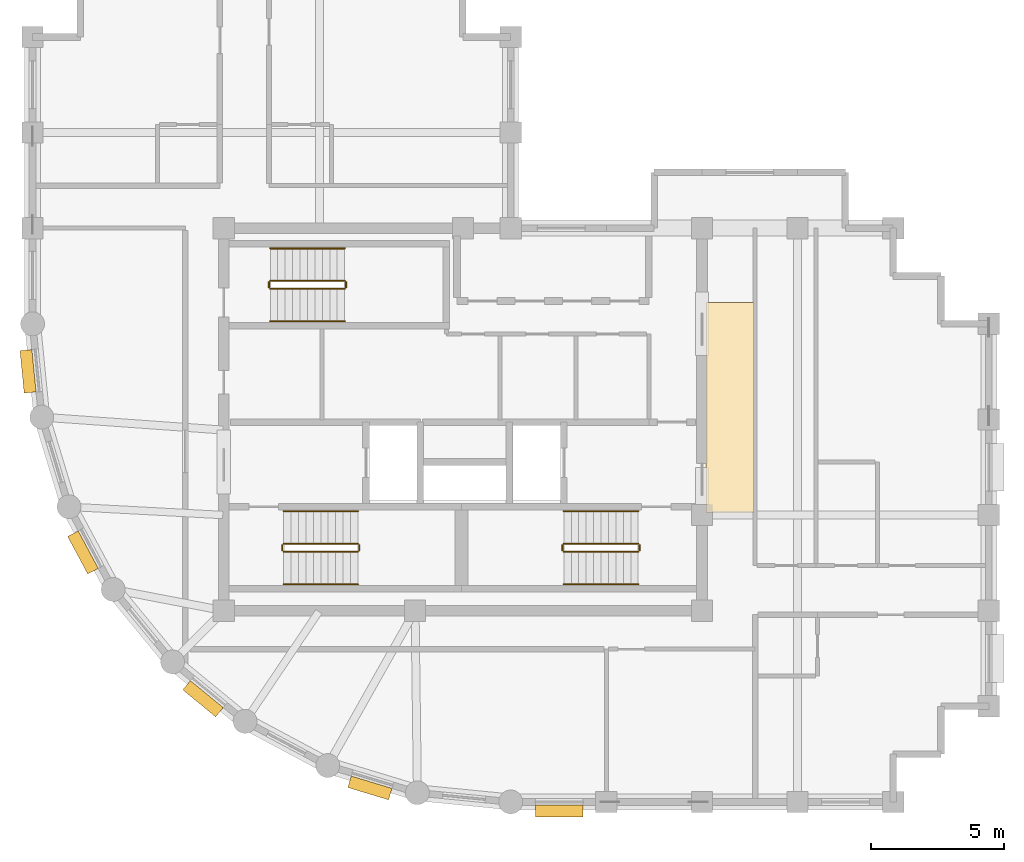
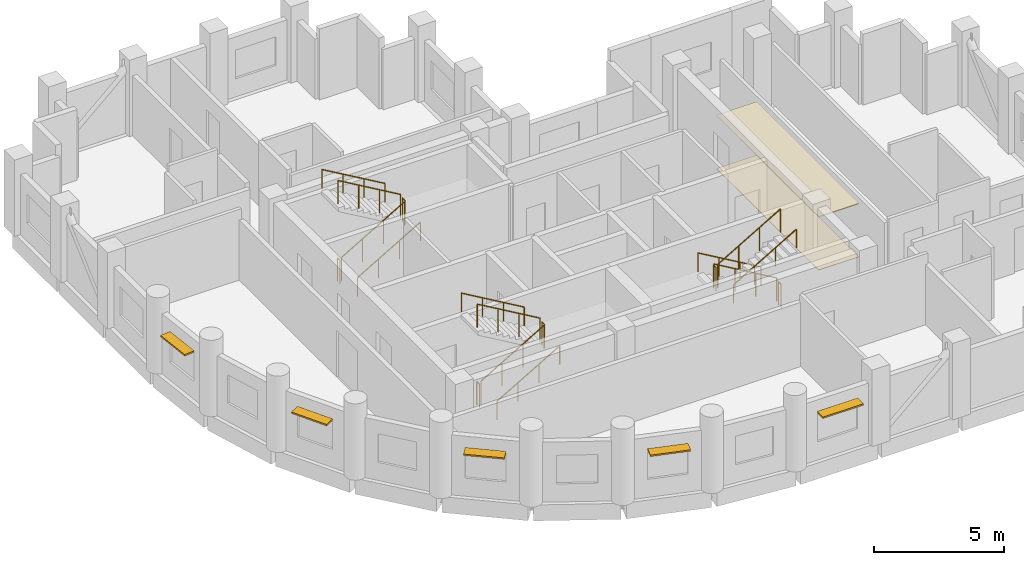
# One storey, part 6 of 7: 18 railings, 5 shading devices, 2 coverings.
"""IFC4 building model written with IfcOpenShell, lengths in metres."""

from ifc_helpers import new_model, si_unit, direction, frame, origin, origin_2d, place, context, subcontext, project, spatial, polyline, rectangle, circle, outline, extrude, material, layer, layer_set, type_object, element, save


model = new_model("IFC4")

# Units and contexts
model_context = context("Model", 3, precision=1e-05, world=origin(), true_north=direction((0.0, 1.0)))
body_context = subcontext(model_context, "Body", "Model", "MODEL_VIEW")
ifc_project = project(units=[si_unit("LENGTHUNIT", "METRE"), si_unit("AREAUNIT", "SQUARE_METRE"), si_unit("VOLUMEUNIT", "CUBIC_METRE"), si_unit("PLANEANGLEUNIT", "RADIAN"), si_unit("MASSUNIT", "GRAM", prefix="KILO")], contexts=[model_context])

# Site, building, storey
site_placement = place(None, origin())
site = spatial("IfcSite", under=ifc_project, at=site_placement, CompositionType="ELEMENT")
building_placement = place(site_placement, origin())
building = spatial("IfcBuilding", under=site, at=building_placement, Name="Solnavia Interchange Tower", CompositionType="ELEMENT")
storey_placement = place(building_placement, frame((0.0, 0.0, 281.0)))
storey = spatial("IfcBuildingStorey", under=building, at=storey_placement, Name="L71", CompositionType="ELEMENT", Elevation=281.0)

# Coverings
ifc_material_1 = material(Name="Perforated Mineral-Fibre & Gypsum Ceiling", Category="gypsum")
ifc_layer_1 = layer(ifc_material_1, 0.0400390625)
ifc_layer_set_1 = layer_set([ifc_layer_1], Name="Perforated Mineral-Fibre & Gypsum Ceiling")
covering_type_1 = type_object("IfcCoveringType", Name="Covering-Ceiling-Acoustic40", PredefinedType="CEILING", material=ifc_layer_set_1)
covering_1_placement = place(storey_placement, frame((0.0, 0.0, 2.5)))
element("IfcCovering", 1, at=covering_1_placement, inside=storey, type_object=covering_type_1, Name="CLG-L71-01 Circulation suspended acoustic ceiling", PredefinedType="CEILING", context=body_context, shape_type="SweptSolid", body=[
    extrude(outline(polyline([(32.550048828125, 14.5), (34.35009765625, 14.5), (34.35009765625, 22.39990234375), (32.550048828125, 22.39990234375), (32.550048828125, 14.5)])), origin(), (0.0, 0.0, 1.0), 0.0400390625),
])
ifc_material_2 = material(Name="Engineered European Oak Flooring", Category="wood")
ifc_layer_2 = layer(ifc_material_2, 0.02001953125)
ifc_layer_set_2 = layer_set([ifc_layer_2], Name="Engineered European Oak Flooring")
covering_type_2 = type_object("IfcCoveringType", Name="Covering-Flooring-Timber20", PredefinedType="FLOORING", material=ifc_layer_set_2)
covering_2_placement = place(storey_placement, origin())
element("IfcCovering", 2, at=covering_2_placement, inside=storey, type_object=covering_type_2, Name="FLR-L71-01 Circulation floor finish", PredefinedType="FLOORING", context=body_context, shape_type="SweptSolid", body=[
    extrude(outline(polyline([(32.550048828125, 14.5), (34.35009765625, 14.5), (34.35009765625, 22.39990234375), (32.550048828125, 22.39990234375), (32.550048828125, 14.5)])), origin(), (0.0, 0.0, 1.0), 0.02001953125),
])

# Railings
ifc_material_3 = material(Name="Painted Steel Balustrade", Category="steel")
railing_type_1 = type_object("IfcRailingType", Name="Railing-StairGuard-1100", PredefinedType="GUARDRAIL", material=ifc_material_3)
railing_1_placement = place(storey_placement, frame((16.64990234375, 13.02001953125, 0.16357421875)))
element("IfcRailing", 3, at=railing_1_placement, inside=storey, type_object=railing_type_1, Name="L71 ST-1 stair guard 1", PredefinedType="GUARDRAIL", context=body_context, shape_type="SweptSolid", body=[
    extrude(circle(Radius=0.02392578125, at=origin_2d()), frame((0.0, 0.0, 1.09619140625), z_axis=(0.863360870873, 0.0, 0.504586966384), x_axis=(0.0, 1.0, 0.0)), (0.0, 0.0, 1.0), 3.2431640625),
    extrude(circle(Radius=0.02099609375, at=origin_2d()), origin(), (0.0, 0.0, 1.0), 1.072021484375),
    extrude(circle(Radius=0.02099609375, at=origin_2d()), frame((0.933349609375, 0.0, 0.54541015625)), (0.0, 0.0, 1.0), 1.072021484375),
    extrude(circle(Radius=0.02099609375, at=origin_2d()), frame((1.86669921875, 0.0, 1.091064453125)), (0.0, 0.0, 1.0), 1.072021484375),
    extrude(circle(Radius=0.02099609375, at=origin_2d()), frame((2.800048828125, 0.0, 1.636474609375)), (0.0, 0.0, 1.0), 1.072021484375),
])
railing_2_placement = place(storey_placement, frame((19.5, 13.070068359375, 1.800048828125)))
element("IfcRailing", 4, at=railing_2_placement, inside=storey, type_object=railing_type_1, Name="L71 ST-1 stair guard 2", PredefinedType="GUARDRAIL", context=body_context, shape_type="SweptSolid", body=[
    extrude(circle(Radius=0.02392578125, at=origin_2d()), frame((0.0, 0.0, 1.09619140625), z_axis=(0.0, 1.0, 0.0), x_axis=(-1.0, 0.0, 0.0)), (0.0, 0.0, 1.0), 0.199951171875),
    extrude(circle(Radius=0.02099609375, at=origin_2d()), origin(), (0.0, 0.0, 1.0), 1.072021484375),
    extrude(circle(Radius=0.02099609375, at=origin_2d()), frame((0.0, 0.199951171875, 0.0)), (0.0, 0.0, 1.0), 1.072021484375),
])
railing_3_placement = place(storey_placement, frame((19.449951171875, 13.320068359375, 1.963623046875)))
element("IfcRailing", 5, at=railing_3_placement, inside=storey, type_object=railing_type_1, Name="L71 ST-1 stair guard 3", PredefinedType="GUARDRAIL", context=body_context, shape_type="SweptSolid", body=[
    extrude(circle(Radius=0.02392578125, at=origin_2d()), frame((0.0, 0.0, 1.09619140625), z_axis=(-0.863360870873, 0.0, 0.504586966384), x_axis=(0.0, -1.0, 0.0)), (0.0, 0.0, 1.0), 3.2431640625),
    extrude(circle(Radius=0.02099609375, at=origin_2d()), origin(), (0.0, 0.0, 1.0), 1.072021484375),
    extrude(circle(Radius=0.02099609375, at=origin_2d()), frame((-0.933349609375, 0.0, 0.54541015625)), (0.0, 0.0, 1.0), 1.072021484375),
    extrude(circle(Radius=0.02099609375, at=origin_2d()), frame((-1.86669921875, 0.0, 1.091064453125)), (0.0, 0.0, 1.0), 1.072021484375),
    extrude(circle(Radius=0.02099609375, at=origin_2d()), frame((-2.800048828125, 0.0, 1.636474609375)), (0.0, 0.0, 1.0), 1.072021484375),
])
railing_4_placement = place(storey_placement, frame((16.60009765625, 13.070068359375, 0.0)))
element("IfcRailing", 6, at=railing_4_placement, inside=storey, type_object=railing_type_1, Name="L71 ST-1 stair guard 4", PredefinedType="GUARDRAIL", context=body_context, shape_type="SweptSolid", body=[
    extrude(circle(Radius=0.02392578125, at=origin_2d()), frame((0.0, 0.0, 1.09619140625), z_axis=(0.0, 1.0, 0.0), x_axis=(-1.0, 0.0, 0.0)), (0.0, 0.0, 1.0), 0.199951171875),
    extrude(circle(Radius=0.02099609375, at=origin_2d()), origin(), (0.0, 0.0, 1.0), 1.072021484375),
    extrude(circle(Radius=0.02099609375, at=origin_2d()), frame((0.0, 0.199951171875, 0.0)), (0.0, 0.0, 1.0), 1.072021484375),
])
railing_5_placement = place(storey_placement, frame((30.0, 13.320068359375, 0.16357421875)))
element("IfcRailing", 7, at=railing_5_placement, inside=storey, type_object=railing_type_1, Name="L71 ST-2 stair guard 1", PredefinedType="GUARDRAIL", context=body_context, shape_type="SweptSolid", body=[
    extrude(circle(Radius=0.02392578125, at=origin_2d()), frame((0.0, 0.0, 1.09619140625), z_axis=(-0.863360870873, 0.0, 0.504586966384), x_axis=(0.0, -1.0, 0.0)), (0.0, 0.0, 1.0), 3.2431640625),
    extrude(circle(Radius=0.02099609375, at=origin_2d()), origin(), (0.0, 0.0, 1.0), 1.072021484375),
    extrude(circle(Radius=0.02099609375, at=origin_2d()), frame((-0.933349609375, 0.0, 0.54541015625)), (0.0, 0.0, 1.0), 1.072021484375),
    extrude(circle(Radius=0.02099609375, at=origin_2d()), frame((-1.86669921875, 0.0, 1.091064453125)), (0.0, 0.0, 1.0), 1.072021484375),
    extrude(circle(Radius=0.02099609375, at=origin_2d()), frame((-2.800048828125, 0.0, 1.636474609375)), (0.0, 0.0, 1.0), 1.072021484375),
])
railing_6_placement = place(storey_placement, frame((27.14990234375, 13.27001953125, 1.800048828125)))
element("IfcRailing", 8, at=railing_6_placement, inside=storey, type_object=railing_type_1, Name="L71 ST-2 stair guard 2", PredefinedType="GUARDRAIL", context=body_context, shape_type="SweptSolid", body=[
    extrude(circle(Radius=0.02392578125, at=origin_2d()), frame((0.0, 0.0, 1.09619140625), z_axis=(0.0, -1.0, 0.0), x_axis=(1.0, 0.0, 0.0)), (0.0, 0.0, 1.0), 0.199951171875),
    extrude(circle(Radius=0.02099609375, at=origin_2d()), origin(), (0.0, 0.0, 1.0), 1.072021484375),
    extrude(circle(Radius=0.02099609375, at=origin_2d()), frame((0.0, -0.199951171875, 0.0)), (0.0, 0.0, 1.0), 1.072021484375),
])
railing_7_placement = place(storey_placement, frame((27.199951171875, 13.02001953125, 1.963623046875)))
element("IfcRailing", 9, at=railing_7_placement, inside=storey, type_object=railing_type_1, Name="L71 ST-2 stair guard 3", PredefinedType="GUARDRAIL", context=body_context, shape_type="SweptSolid", body=[
    extrude(circle(Radius=0.02392578125, at=origin_2d()), frame((0.0, 0.0, 1.09619140625), z_axis=(0.863360870873, 0.0, 0.504586966384), x_axis=(0.0, 1.0, 0.0)), (0.0, 0.0, 1.0), 3.2431640625),
    extrude(circle(Radius=0.02099609375, at=origin_2d()), origin(), (0.0, 0.0, 1.0), 1.072021484375),
    extrude(circle(Radius=0.02099609375, at=origin_2d()), frame((0.933349609375, 0.0, 0.54541015625)), (0.0, 0.0, 1.0), 1.072021484375),
    extrude(circle(Radius=0.02099609375, at=origin_2d()), frame((1.86669921875, 0.0, 1.091064453125)), (0.0, 0.0, 1.0), 1.072021484375),
    extrude(circle(Radius=0.02099609375, at=origin_2d()), frame((2.800048828125, 0.0, 1.636474609375)), (0.0, 0.0, 1.0), 1.072021484375),
])
railing_8_placement = place(storey_placement, frame((30.050048828125, 13.27001953125, 0.0)))
element("IfcRailing", 10, at=railing_8_placement, inside=storey, type_object=railing_type_1, Name="L71 ST-2 stair guard 4", PredefinedType="GUARDRAIL", context=body_context, shape_type="SweptSolid", body=[
    extrude(circle(Radius=0.02392578125, at=origin_2d()), frame((0.0, 0.0, 1.09619140625), z_axis=(0.0, -1.0, 0.0), x_axis=(1.0, 0.0, 0.0)), (0.0, 0.0, 1.0), 0.199951171875),
    extrude(circle(Radius=0.02099609375, at=origin_2d()), origin(), (0.0, 0.0, 1.0), 1.072021484375),
    extrude(circle(Radius=0.02099609375, at=origin_2d()), frame((0.0, -0.199951171875, 0.0)), (0.0, 0.0, 1.0), 1.072021484375),
])
railing_9_placement = place(storey_placement, frame((16.14990234375, 22.919921875, 0.16357421875)))
element("IfcRailing", 11, at=railing_9_placement, inside=storey, type_object=railing_type_1, Name="L71 ST-3 stair guard 1", PredefinedType="GUARDRAIL", context=body_context, shape_type="SweptSolid", body=[
    extrude(circle(Radius=0.02392578125, at=origin_2d()), frame((0.0, 0.0, 1.09619140625), z_axis=(0.863360870873, 0.0, 0.504586966384), x_axis=(0.0, 1.0, 0.0)), (0.0, 0.0, 1.0), 3.2431640625),
    extrude(circle(Radius=0.02099609375, at=origin_2d()), origin(), (0.0, 0.0, 1.0), 1.072021484375),
    extrude(circle(Radius=0.02099609375, at=origin_2d()), frame((0.933349609375, 0.0, 0.54541015625)), (0.0, 0.0, 1.0), 1.072021484375),
    extrude(circle(Radius=0.02099609375, at=origin_2d()), frame((1.86669921875, 0.0, 1.091064453125)), (0.0, 0.0, 1.0), 1.072021484375),
    extrude(circle(Radius=0.02099609375, at=origin_2d()), frame((2.800048828125, 0.0, 1.636474609375)), (0.0, 0.0, 1.0), 1.072021484375),
])
railing_10_placement = place(storey_placement, frame((19.0, 22.969970703125, 1.800048828125)))
element("IfcRailing", 12, at=railing_10_placement, inside=storey, type_object=railing_type_1, Name="L71 ST-3 stair guard 2", PredefinedType="GUARDRAIL", context=body_context, shape_type="SweptSolid", body=[
    extrude(circle(Radius=0.02392578125, at=origin_2d()), frame((0.0, 0.0, 1.09619140625), z_axis=(0.0, 1.0, 0.0), x_axis=(-1.0, 0.0, 0.0)), (0.0, 0.0, 1.0), 0.199951171875),
    extrude(circle(Radius=0.02099609375, at=origin_2d()), origin(), (0.0, 0.0, 1.0), 1.072021484375),
    extrude(circle(Radius=0.02099609375, at=origin_2d()), frame((0.0, 0.199951171875, 0.0)), (0.0, 0.0, 1.0), 1.072021484375),
])
railing_11_placement = place(storey_placement, frame((18.949951171875, 23.219970703125, 1.963623046875)))
element("IfcRailing", 13, at=railing_11_placement, inside=storey, type_object=railing_type_1, Name="L71 ST-3 stair guard 3", PredefinedType="GUARDRAIL", context=body_context, shape_type="SweptSolid", body=[
    extrude(circle(Radius=0.02392578125, at=origin_2d()), frame((0.0, 0.0, 1.09619140625), z_axis=(-0.863360870873, 0.0, 0.504586966384), x_axis=(0.0, -1.0, 0.0)), (0.0, 0.0, 1.0), 3.2431640625),
    extrude(circle(Radius=0.02099609375, at=origin_2d()), origin(), (0.0, 0.0, 1.0), 1.072021484375),
    extrude(circle(Radius=0.02099609375, at=origin_2d()), frame((-0.933349609375, 0.0, 0.54541015625)), (0.0, 0.0, 1.0), 1.072021484375),
    extrude(circle(Radius=0.02099609375, at=origin_2d()), frame((-1.86669921875, 0.0, 1.091064453125)), (0.0, 0.0, 1.0), 1.072021484375),
    extrude(circle(Radius=0.02099609375, at=origin_2d()), frame((-2.800048828125, 0.0, 1.636474609375)), (0.0, 0.0, 1.0), 1.072021484375),
])
railing_12_placement = place(storey_placement, frame((16.10009765625, 22.969970703125, 0.0)))
element("IfcRailing", 14, at=railing_12_placement, inside=storey, type_object=railing_type_1, Name="L71 ST-3 stair guard 4", PredefinedType="GUARDRAIL", context=body_context, shape_type="SweptSolid", body=[
    extrude(circle(Radius=0.02392578125, at=origin_2d()), frame((0.0, 0.0, 1.09619140625), z_axis=(0.0, 1.0, 0.0), x_axis=(-1.0, 0.0, 0.0)), (0.0, 0.0, 1.0), 0.199951171875),
    extrude(circle(Radius=0.02099609375, at=origin_2d()), origin(), (0.0, 0.0, 1.0), 1.072021484375),
    extrude(circle(Radius=0.02099609375, at=origin_2d()), frame((0.0, 0.199951171875, 0.0)), (0.0, 0.0, 1.0), 1.072021484375),
])
ifc_material_4 = material(Name="Brushed Stainless Steel", Category="steel")
railing_type_2 = type_object("IfcRailingType", Name="Railing-StairHandrail-900", PredefinedType="HANDRAIL", material=ifc_material_4)
railing_13_placement = place(storey_placement, frame((16.64990234375, 11.800048828125, 0.16357421875)))
element("IfcRailing", 15, at=railing_13_placement, inside=storey, type_object=railing_type_2, Name="L71 ST-1 stair handrail 1", PredefinedType="HANDRAIL", context=body_context, shape_type="SweptSolid", body=[
    extrude(circle(Radius=0.02392578125, at=origin_2d()), frame((0.0, 0.0, 0.8759765625), z_axis=(0.863360870873, 0.0, 0.504586966384), x_axis=(0.0, 1.0, 0.0)), (0.0, 0.0, 1.0), 3.2431640625),
    extrude(circle(Radius=0.02099609375, at=origin_2d()), origin(), (0.0, 0.0, 1.0), 0.851806640625),
    extrude(circle(Radius=0.02099609375, at=origin_2d()), frame((0.933349609375, 0.0, 0.54541015625)), (0.0, 0.0, 1.0), 0.851806640625),
    extrude(circle(Radius=0.02099609375, at=origin_2d()), frame((1.86669921875, 0.0, 1.091064453125)), (0.0, 0.0, 1.0), 0.851806640625),
    extrude(circle(Radius=0.02099609375, at=origin_2d()), frame((2.800048828125, 0.0, 1.636474609375)), (0.0, 0.0, 1.0), 0.851806640625),
])
for number, where, name in (
    (16, (19.449951171875, 14.5400390625, 1.963623046875), "L71 ST-1 stair handrail 2"),
    (17, (30.0, 14.5400390625, 0.16357421875), "L71 ST-2 stair handrail 1"),
):
    element("IfcRailing", number, at=place(storey_placement, frame(where)), inside=storey, type_object=railing_type_2, Name=name, PredefinedType="HANDRAIL", context=body_context, shape_type="SweptSolid", body=[
        extrude(circle(Radius=0.02392578125, at=origin_2d()), frame((0.0, 0.0, 0.8759765625), z_axis=(-0.863360870873, 0.0, 0.504586966384), x_axis=(0.0, -1.0, 0.0)), (0.0, 0.0, 1.0), 3.2431640625),
        extrude(circle(Radius=0.02099609375, at=origin_2d()), origin(), (0.0, 0.0, 1.0), 0.851806640625),
        extrude(circle(Radius=0.02099609375, at=origin_2d()), frame((-0.933349609375, 0.0, 0.54541015625)), (0.0, 0.0, 1.0), 0.851806640625),
        extrude(circle(Radius=0.02099609375, at=origin_2d()), frame((-1.86669921875, 0.0, 1.091064453125)), (0.0, 0.0, 1.0), 0.851806640625),
        extrude(circle(Radius=0.02099609375, at=origin_2d()), frame((-2.800048828125, 0.0, 1.636474609375)), (0.0, 0.0, 1.0), 0.851806640625),
    ])
for number, where, name in (
    (18, (27.199951171875, 11.800048828125, 1.963623046875), "L71 ST-2 stair handrail 2"),
    (19, (16.14990234375, 21.699951171875, 0.16357421875), "L71 ST-3 stair handrail 1"),
):
    element("IfcRailing", number, at=place(storey_placement, frame(where)), inside=storey, type_object=railing_type_2, Name=name, PredefinedType="HANDRAIL", context=body_context, shape_type="SweptSolid", body=[
        extrude(circle(Radius=0.02392578125, at=origin_2d()), frame((0.0, 0.0, 0.8759765625), z_axis=(0.863360870873, 0.0, 0.504586966384), x_axis=(0.0, 1.0, 0.0)), (0.0, 0.0, 1.0), 3.2431640625),
        extrude(circle(Radius=0.02099609375, at=origin_2d()), origin(), (0.0, 0.0, 1.0), 0.851806640625),
        extrude(circle(Radius=0.02099609375, at=origin_2d()), frame((0.933349609375, 0.0, 0.54541015625)), (0.0, 0.0, 1.0), 0.851806640625),
        extrude(circle(Radius=0.02099609375, at=origin_2d()), frame((1.86669921875, 0.0, 1.091064453125)), (0.0, 0.0, 1.0), 0.851806640625),
        extrude(circle(Radius=0.02099609375, at=origin_2d()), frame((2.800048828125, 0.0, 1.636474609375)), (0.0, 0.0, 1.0), 0.851806640625),
    ])
railing_14_placement = place(storey_placement, frame((18.949951171875, 24.43994140625, 1.963623046875)))
element("IfcRailing", 20, at=railing_14_placement, inside=storey, type_object=railing_type_2, Name="L71 ST-3 stair handrail 2", PredefinedType="HANDRAIL", context=body_context, shape_type="SweptSolid", body=[
    extrude(circle(Radius=0.02392578125, at=origin_2d()), frame((0.0, 0.0, 0.8759765625), z_axis=(-0.863360870873, 0.0, 0.504586966384), x_axis=(0.0, -1.0, 0.0)), (0.0, 0.0, 1.0), 3.2431640625),
    extrude(circle(Radius=0.02099609375, at=origin_2d()), origin(), (0.0, 0.0, 1.0), 0.851806640625),
    extrude(circle(Radius=0.02099609375, at=origin_2d()), frame((-0.933349609375, 0.0, 0.54541015625)), (0.0, 0.0, 1.0), 0.851806640625),
    extrude(circle(Radius=0.02099609375, at=origin_2d()), frame((-1.86669921875, 0.0, 1.091064453125)), (0.0, 0.0, 1.0), 0.851806640625),
    extrude(circle(Radius=0.02099609375, at=origin_2d()), frame((-2.800048828125, 0.0, 1.636474609375)), (0.0, 0.0, 1.0), 0.851806640625),
])

# Shading devices
ifc_material_5 = material(Name="Anodised Aluminium Sunshade", Category="aluminium")
ifc_layer_3 = layer(ifc_material_5, 0.070068359375)
ifc_layer_set_3 = layer_set([ifc_layer_3], Name="Anodised Aluminium Sunshade")
shading_device_type = type_object("IfcShadingDeviceType", Name="Sunshade-Band-450", PredefinedType="JALOUSIE", material=ifc_layer_set_3)
shading_device_placement = place(storey_placement, frame((27.02490234375, 3.2548828125, 2.22509765625), z_axis=(0.0, 0.0, 1.0), x_axis=(-1.0, 0.0, 0.0)))
element("IfcShadingDevice", 21, at=shading_device_placement, inside=storey, type_object=shading_device_type, Name="SHD-L71-01 Horizontal sunshade band", PredefinedType="JALOUSIE", context=body_context, shape_type="SweptSolid", body=[
    extrude(rectangle(XDim=1.800048828125, YDim=0.449951171875, at=origin_2d()), origin(), (0.0, 0.0, 1.0), 0.070068359375),
])
for number, where, z_axis, x_axis, name in (
    (22, (7.029541015625, 19.810791015625, 2.22509765625), (0.0, 0.0, 1.0), (-0.098103986207, 0.995176169274, 0.0), "SHD-L71-41 Horizontal sunshade band"),
    (23, (9.097900390625, 12.992919921875, 2.22509765625), (0.0, 0.0, 1.0), (-0.47147369718, 0.881880123865, 0.0), "SHD-L71-43 Horizontal sunshade band"),
    (24, (13.617431640625, 7.486083984375, 2.22509765625), (0.0, 0.0, 1.0), (-0.773176510644, 0.634190888762, 0.0), "SHD-L71-45 Horizontal sunshade band"),
    (25, (19.89990234375, 4.1279296875, 2.22509765625), (0.0, 0.0, 1.0), (-0.956965664205, 0.290201167351, 0.0), "SHD-L71-47 Horizontal sunshade band"),
):
    element("IfcShadingDevice", number, at=place(storey_placement, frame(where, z_axis=z_axis, x_axis=x_axis)), inside=storey, type_object=shading_device_type, Name=name, PredefinedType="JALOUSIE", context=body_context, shape_type="SweptSolid", body=[
        extrude(rectangle(XDim=1.60009765625, YDim=0.449951171875, at=origin_2d()), origin(), (0.0, 0.0, 1.0), 0.070068359375),
    ])

save(model, "model.ifc")
